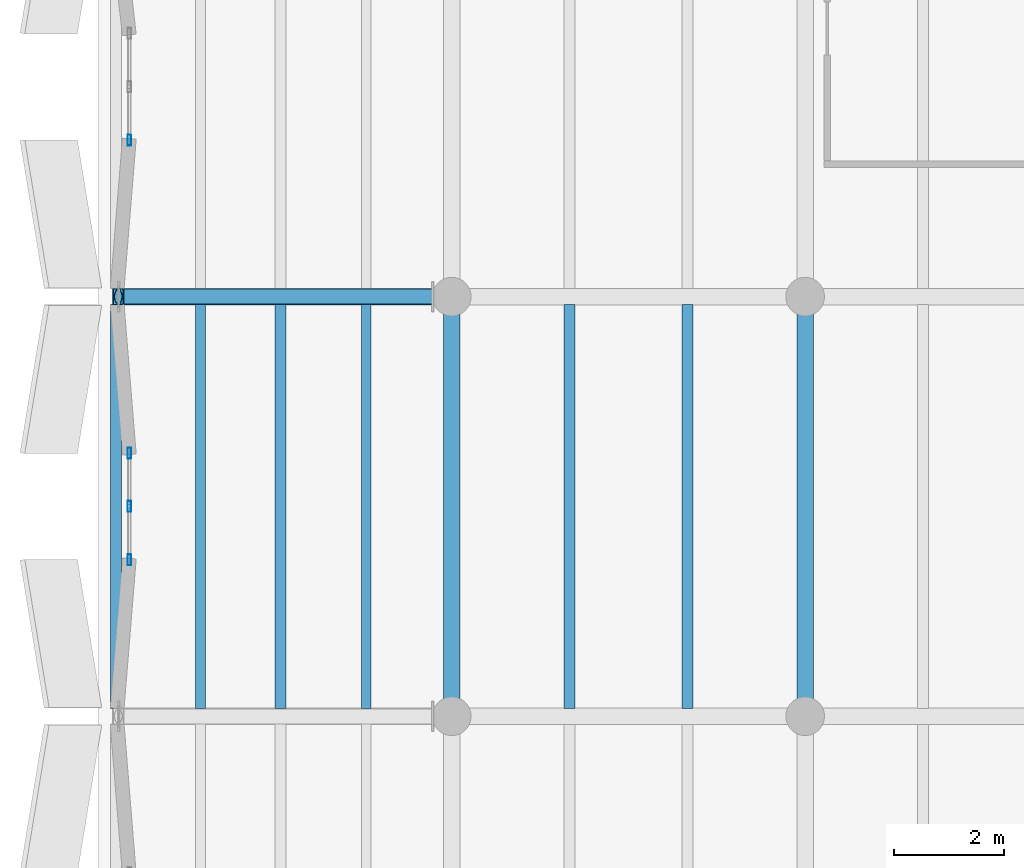
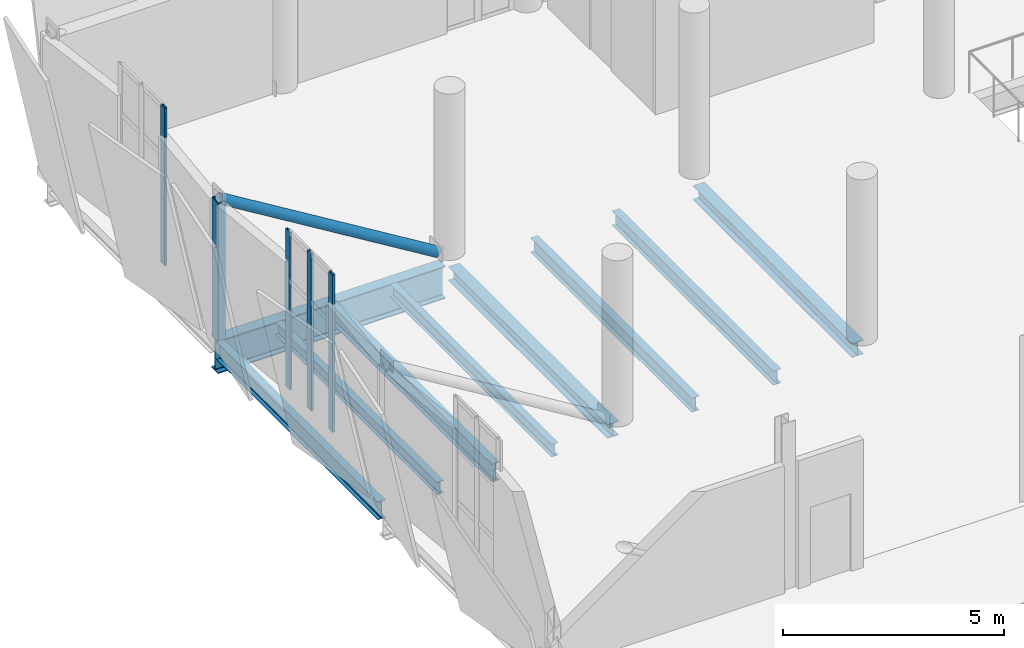
# One storey, part 35 of 136: 9 beams, 6 members, 2 elements without a shape of their own.
"""IFC4 building model written with IfcOpenShell, lengths in metres."""

from ifc_helpers import new_model, si_unit, direction, frame, origin, origin_2d, place, context, subcontext, project, spatial, hollow_rectangle, hollow_circle, i_section, extrude, material, material_profile, profile_set, type_object, element, aggregate, save


model = new_model("IFC4")

# Units and contexts
model_context = context("Model", 3, precision=1e-05, world=origin(), true_north=direction((0.0, 1.0)))
body_context = subcontext(model_context, "Body", "Model", "MODEL_VIEW")
ifc_project = project(units=[si_unit("LENGTHUNIT", "METRE"), si_unit("AREAUNIT", "SQUARE_METRE"), si_unit("VOLUMEUNIT", "CUBIC_METRE"), si_unit("PLANEANGLEUNIT", "RADIAN"), si_unit("MASSUNIT", "GRAM", prefix="KILO")], contexts=[model_context])

# Site, building, storey
site_placement = place(None, origin())
site = spatial("IfcSite", under=ifc_project, at=site_placement, CompositionType="ELEMENT")
building_placement = place(site_placement, origin())
building = spatial("IfcBuilding", under=site, at=building_placement, Name="Shengluoqiao Park Theatre", CompositionType="ELEMENT")
storey_placement = place(building_placement, frame((0.0, 0.0, 10.0)))
storey = spatial("IfcBuildingStorey", under=building, at=storey_placement, Name="L02", CompositionType="ELEMENT", Elevation=10.0)

# Curtain wall, members
ifc_material_1 = material(Name="Aluminium 6063-T6", Category="aluminium")
curtain_wall_type = type_object("IfcCurtainWallType", Name="ENV-CW-FOYER", PredefinedType="NOTDEFINED", material=ifc_material_1)
curtain_wall_1_placement = place(storey_placement, origin())
curtain_wall_1 = element("IfcCurtainWall", 1, at=curtain_wall_1_placement, inside=storey, type_object=curtain_wall_type, Name="L02 Curtain Wall CW-L02-SLIT-0242", PredefinedType="NOTDEFINED")
ifc_material_profile_1 = material_profile(ifc_material_1, hollow_rectangle(XDim=0.06494140625, YDim=0.199951171875, WallThickness=0.0048828125, InnerFilletRadius=0.0048828125, OuterFilletRadius=0.010009765625, at=origin_2d()), Name="ALU MULLION 200x65x5")
ifc_profile_set_1 = profile_set([ifc_material_profile_1], Name="Aluminium 6063-T6")
member_type_1 = type_object("IfcMemberType", Name="ENV-MUL-200", PredefinedType="MULLION", material=ifc_profile_set_1)
member_1_placement = place(storey_placement, frame((0.56005859375, 63.632568359375, 0.0), z_axis=(0.0, 0.0, 1.0), x_axis=(-1.0, 0.0, 0.0)))
member_1 = element("IfcMember", 2, at=member_1_placement, type_object=member_type_1, Name="CW-01 mullion 1", PredefinedType="MULLION", context=body_context, shape_type="SweptSolid", body=[
    extrude(hollow_rectangle(XDim=0.06494140625, YDim=0.199951171875, WallThickness=0.0048828125, InnerFilletRadius=0.0048828125, OuterFilletRadius=0.010009765625, at=origin_2d()), origin(), (0.0, 0.0, 1.0), 4.360107421875),
])
member_2_placement = place(storey_placement, frame((0.56005859375, 64.60009765625, 0.0), z_axis=(0.0, 0.0, 1.0), x_axis=(-1.0, 0.0, 0.0)))
member_2 = element("IfcMember", 3, at=member_2_placement, type_object=member_type_1, Name="CW-01 mullion 2", PredefinedType="MULLION", context=body_context, shape_type="SweptSolid", body=[
    extrude(hollow_rectangle(XDim=0.06494140625, YDim=0.199951171875, WallThickness=0.0048828125, InnerFilletRadius=0.0048828125, OuterFilletRadius=0.010009765625, at=origin_2d()), origin(), (0.0, 0.0, 1.0), 4.360107421875),
])
member_3_placement = place(storey_placement, frame((0.56005859375, 65.5673828125, 0.0), z_axis=(0.0, 0.0, 1.0), x_axis=(-1.0, 0.0, 0.0)))
member_3 = element("IfcMember", 4, at=member_3_placement, type_object=member_type_1, Name="CW-01 mullion 3", PredefinedType="MULLION", context=body_context, shape_type="SweptSolid", body=[
    extrude(hollow_rectangle(XDim=0.06494140625, YDim=0.199951171875, WallThickness=0.0048828125, InnerFilletRadius=0.0048828125, OuterFilletRadius=0.010009765625, at=origin_2d()), origin(), (0.0, 0.0, 1.0), 4.360107421875),
])
aggregate(curtain_wall_1, [member_1, member_2, member_3])

# Curtain wall, member
curtain_wall_2_placement = place(storey_placement, origin())
curtain_wall_2 = element("IfcCurtainWall", 5, at=curtain_wall_2_placement, inside=storey, type_object=curtain_wall_type, Name="L02 Curtain Wall CW-L02-SLIT-0243", PredefinedType="NOTDEFINED")
member_4_placement = place(storey_placement, frame((0.56005859375, 71.232421875, 0.0), z_axis=(0.0, 0.0, 1.0), x_axis=(-1.0, 0.0, 0.0)))
member_4 = element("IfcMember", 6, at=member_4_placement, type_object=member_type_1, Name="CW-01 mullion 1", PredefinedType="MULLION", context=body_context, shape_type="SweptSolid", body=[
    extrude(hollow_rectangle(XDim=0.06494140625, YDim=0.199951171875, WallThickness=0.0048828125, InnerFilletRadius=0.0048828125, OuterFilletRadius=0.010009765625, at=origin_2d()), origin(), (0.0, 0.0, 1.0), 4.360107421875),
])
aggregate(curtain_wall_2, [member_4])

# Beams
ifc_material_2 = material(Name="Steel Q355", Category="steel")
ifc_material_profile_2 = material_profile(ifc_material_2, i_section(OverallWidth=0.300048828125, OverallDepth=0.389892578125, WebThickness=0.010009765625, FlangeThickness=0.01611328125, FilletRadius=0.01806640625, at=origin_2d()), Name="HM 390x300x10x16")
ifc_profile_set_2 = profile_set([ifc_material_profile_2], Name="Steel Q355")
beam_type_1 = type_object("IfcBeamType", Name="STR-BM-G-HM390", PredefinedType="BEAM", material=ifc_profile_set_2)
for number, where, z_axis, x_axis, name in (
    (7, (6.39990234375, 60.993896484375, -0.43505859375), (0.0, 1.0, 0.0), (-1.0, 0.0, 0.0), "L02 Transverse Girder 00946"),
    (8, (12.800048828125, 60.993896484375, -0.43505859375), (0.0, 1.0, 0.0), (-1.0, 0.0, 0.0), "L02 Transverse Girder 00949"),
):
    element("IfcBeam", number, at=place(storey_placement, frame(where, z_axis=z_axis, x_axis=x_axis)), inside=storey, type_object=beam_type_1, Name=name, PredefinedType="BEAM", context=body_context, shape_type="SweptSolid", body=[
        extrude(i_section(OverallWidth=0.300048828125, OverallDepth=0.389892578125, WebThickness=0.010009765625, FlangeThickness=0.01611328125, FilletRadius=0.01806640625, at=origin_2d()), origin(), (0.0, 0.0, 1.0), 7.212158203125),
    ])
ifc_material_3 = material(Name="Steel Q390", Category="steel")
ifc_material_profile_3 = material_profile(ifc_material_3, i_section(OverallWidth=0.300048828125, OverallDepth=0.89990234375, WebThickness=0.01611328125, FlangeThickness=0.028076171875, FilletRadius=0.028076171875, at=origin_2d()), Name="HN 900x300x16x28")
ifc_profile_set_3 = profile_set([ifc_material_profile_3], Name="Steel Q390")
beam_type_2 = type_object("IfcBeamType", Name="STR-BM-G-HN900", PredefinedType="BEAM", material=ifc_profile_set_3)
beam_placement = place(storey_placement, frame((0.260009765625, 68.39990234375, -0.68994140625), z_axis=(1.0, 0.0, 0.0), x_axis=(0.0, 1.0, 0.0)))
element("IfcBeam", 9, at=beam_placement, inside=storey, type_object=beam_type_2, Name="CT-V5-2 L02 Cantilever Overhang Chord", PredefinedType="BEAM", context=body_context, shape_type="SweptSolid", body=[
    extrude(i_section(OverallWidth=0.300048828125, OverallDepth=0.89990234375, WebThickness=0.01611328125, FlangeThickness=0.028076171875, FilletRadius=0.028076171875, at=origin_2d()), origin(), (0.0, 0.0, 1.0), 5.951904296875),
])
ifc_material_profile_4 = material_profile(ifc_material_2, i_section(OverallWidth=0.175048828125, OverallDepth=0.35009765625, WebThickness=0.007080078125, FlangeThickness=0.010986328125, FilletRadius=0.013916015625, at=origin_2d()), Name="HN 350x175x7x11")
ifc_profile_set_4 = profile_set([ifc_material_profile_4], Name="Steel Q355")
beam_type_3 = type_object("IfcBeamType", Name="STR-BM-J-HN350", PredefinedType="JOIST", material=ifc_profile_set_4)
for number, where, z_axis, x_axis, name in (
    (10, (1.85009765625, 60.944091796875, -0.4150390625), (0.0, 1.0, 0.0), (-1.0, 0.0, 0.0), "V5 L02 Cantilever Joist 00053"),
    (11, (4.85009765625, 60.944091796875, -0.4150390625), (0.0, 1.0, 0.0), (-1.0, 0.0, 0.0), "V5 L02 Cantilever Joist 00056"),
):
    element("IfcBeam", number, at=place(storey_placement, frame(where, z_axis=z_axis, x_axis=x_axis)), inside=storey, type_object=beam_type_3, Name=name, PredefinedType="JOIST", context=body_context, shape_type="SweptSolid", body=[
        extrude(i_section(OverallWidth=0.175048828125, OverallDepth=0.35009765625, WebThickness=0.007080078125, FlangeThickness=0.010986328125, FilletRadius=0.013916015625, at=origin_2d()), origin(), (0.0, 0.0, 1.0), 7.31201171875),
    ])
ifc_material_profile_5 = material_profile(ifc_material_2, i_section(OverallWidth=0.199951171875, OverallDepth=0.39990234375, WebThickness=0.008056640625, FlangeThickness=0.012939453125, FilletRadius=0.01611328125, at=origin_2d()), Name="HN 400x200x8x13")
ifc_profile_set_5 = profile_set([ifc_material_profile_5], Name="Steel Q355")
beam_type_4 = type_object("IfcBeamType", Name="STR-BM-J-HN400", PredefinedType="JOIST", material=ifc_profile_set_5)
for number, where, z_axis, x_axis, name in (
    (12, (8.533203125, 60.945068359375, -0.43994140625), (0.0, 1.0, 0.0), (-1.0, 0.0, 0.0), "L02 Composite Joist 00958"),
    (13, (10.666748046875, 60.945068359375, -0.43994140625), (0.0, 1.0, 0.0), (-1.0, 0.0, 0.0), "L02 Composite Joist 00959"),
):
    element("IfcBeam", number, at=place(storey_placement, frame(where, z_axis=z_axis, x_axis=x_axis)), inside=storey, type_object=beam_type_4, Name=name, PredefinedType="JOIST", context=body_context, shape_type="SweptSolid", body=[
        extrude(i_section(OverallWidth=0.199951171875, OverallDepth=0.39990234375, WebThickness=0.008056640625, FlangeThickness=0.012939453125, FilletRadius=0.01611328125, at=origin_2d()), origin(), (0.0, 0.0, 1.0), 7.309814453125),
    ])
ifc_material_profile_6 = material_profile(ifc_material_2, i_section(OverallWidth=0.198974609375, OverallDepth=0.49609375, WebThickness=0.009033203125, FlangeThickness=0.013916015625, FilletRadius=0.01806640625, at=origin_2d()), Name="HN 496x199x9x14")
ifc_profile_set_6 = profile_set([ifc_material_profile_6], Name="Steel Q355")
beam_type_5 = type_object("IfcBeamType", Name="STR-BM-SP-HN496", PredefinedType="SPANDREL", material=ifc_profile_set_6)
for number, where, z_axis, x_axis, name in (
    (14, (0.320068359375, 60.944091796875, -0.488037109375), (0.0, 1.0, 0.0), (-1.0, 0.0, 0.0), "V5 L02 Cantilever Spandrel 00049"),
    (15, (3.300048828125, 60.944091796875, -0.488037109375), (0.0, 1.0, 0.0), (-1.0, 0.0, 0.0), "V5 L02 Cantilever Spandrel 00051"),
):
    element("IfcBeam", number, at=place(storey_placement, frame(where, z_axis=z_axis, x_axis=x_axis)), inside=storey, type_object=beam_type_5, Name=name, PredefinedType="SPANDREL", context=body_context, shape_type="SweptSolid", body=[
        extrude(i_section(OverallWidth=0.198974609375, OverallDepth=0.49609375, WebThickness=0.009033203125, FlangeThickness=0.013916015625, FilletRadius=0.01806640625, at=origin_2d()), origin(), (0.0, 0.0, 1.0), 7.31201171875),
    ])

# Members
ifc_material_profile_7 = material_profile(ifc_material_2, hollow_circle(Radius=0.136474609375, WallThickness=0.011962890625, at=origin_2d()), Name="CHS 273x12")
ifc_profile_set_7 = profile_set([ifc_material_profile_7], Name="Steel Q355")
member_type_2 = type_object("IfcMemberType", Name="STR-MEM-BRC-273", PredefinedType="BRACE", material=ifc_profile_set_7)
member_5_placement = place(storey_placement, frame((6.06494140625, 68.39990234375, 0.1201171875), z_axis=(-0.853701498368, 0.0, 0.520762663489), x_axis=(0.0, -1.0, 0.0)))
element("IfcMember", 16, at=member_5_placement, inside=storey, type_object=member_type_2, Name="CT-V5-2 L02 Cantilever Raking Strut", PredefinedType="BRACE", context=body_context, shape_type="SweptSolid", body=[
    extrude(hollow_circle(Radius=0.136474609375, WallThickness=0.011962890625, at=origin_2d()), origin(), (0.0, 0.0, 1.0), 6.682373046875),
])
ifc_material_profile_8 = material_profile(ifc_material_3, hollow_rectangle(XDim=0.199951171875, YDim=0.300048828125, WallThickness=0.011962890625, InnerFilletRadius=0.011962890625, OuterFilletRadius=0.02392578125, at=origin_2d()), Name="RHS 300x200x12")
ifc_profile_set_8 = profile_set([ifc_material_profile_8], Name="Steel Q390")
member_type_3 = type_object("IfcMemberType", Name="STR-MEM-PTR-302", PredefinedType="POST", material=ifc_profile_set_8)
member_6_placement = place(storey_placement, frame((0.360107421875, 68.39990234375, -0.260009765625), z_axis=(0.0, 0.0, 1.0), x_axis=(1.0, 0.0, 0.0)))
element("IfcMember", 17, at=member_6_placement, inside=storey, type_object=member_type_3, Name="CT-V5-2 L02 Cantilever Tip Post", PredefinedType="POST", context=body_context, shape_type="SweptSolid", body=[
    extrude(hollow_rectangle(XDim=0.199951171875, YDim=0.300048828125, WallThickness=0.011962890625, InnerFilletRadius=0.011962890625, OuterFilletRadius=0.02392578125, at=origin_2d()), origin(), (0.0, 0.0, 1.0), 3.840087890625),
])

save(model, "model.ifc")
